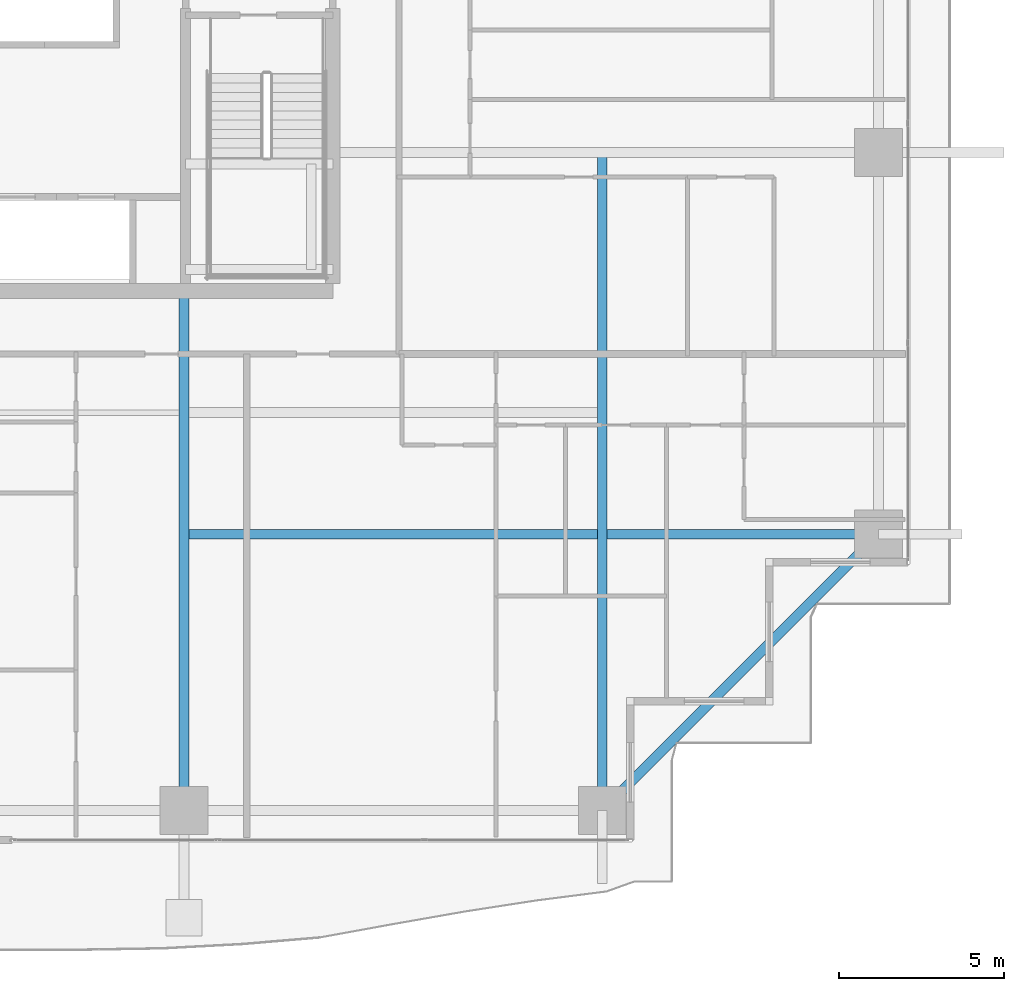
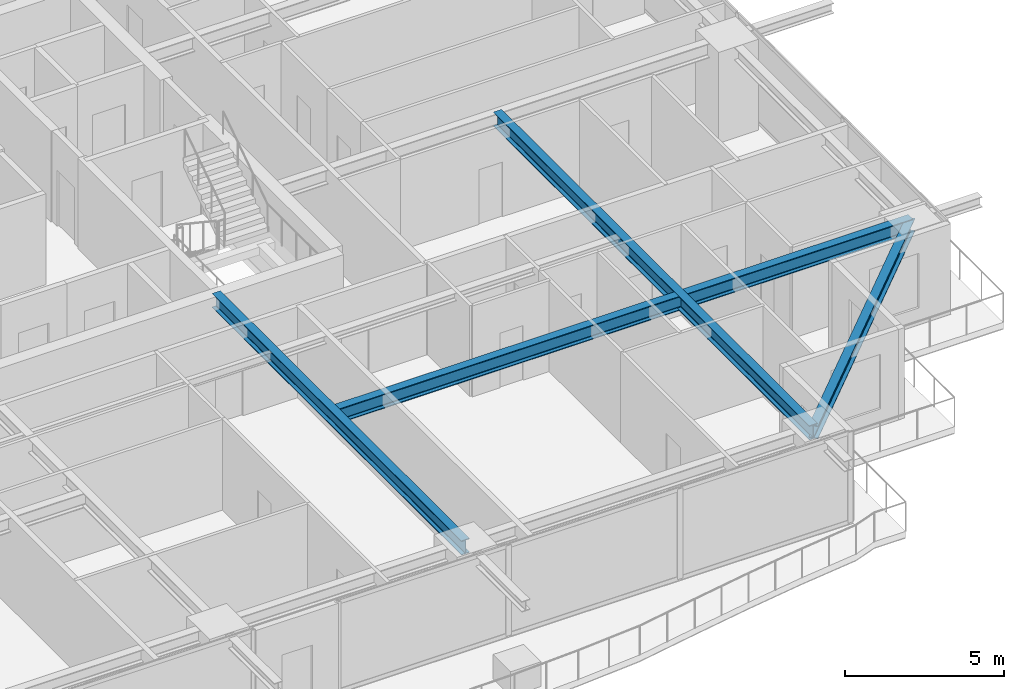
# One storey, part 12 of 41: 4 beams.
"""IFC4 building model written with IfcOpenShell, lengths in metres."""

import ifcopenshell
import ifcopenshell.guid

model = None  # the IFC model being written
_history = None  # IfcOwnerHistory: only IFC2X3 demands one
_inside = {}  # id of a spatial element -> (the spatial element, [elements in it])
_under = {}  # id of a project, library or spatial element -> (it, [spatial elements below it])
_declared = {}  # id of a project -> (the project, [libraries it declares])
_typed = {}  # id of a type object -> (the type object, [elements of that type])
_made_of = {}  # id of a material, layer set ... -> (it, [elements and type objects made of it])


def new_model(schema):
    """Start an empty IFC model of exactly this schema.

    Asked for "IFC4X3", IfcOpenShell would pick the latest addendum, in which some entities
    have other attributes; the version numbers below select the first issue.
    IFC2X3 requires an IfcOwnerHistory on every rooted entity: one is made here for all.
    """
    global model, _history
    if schema == "IFC4X3":
        model = ifcopenshell.file(schema_version=(4, 3, 0, 0))
    else:
        model = ifcopenshell.file(schema=schema)
    _inside.clear()
    _under.clear()
    _declared.clear()
    _typed.clear()
    _made_of.clear()
    _history = None
    if model.schema == "IFC2X3":
        org = make("IfcOrganization", Name="unknown")
        user = make(
            "IfcPersonAndOrganization",
            ThePerson=make("IfcPerson", FamilyName="unknown"),
            TheOrganization=org,
        )
        app = make(
            "IfcApplication",
            ApplicationDeveloper=org,
            Version="unknown",
            ApplicationFullName="unknown",
            ApplicationIdentifier="unknown",
        )
        _history = make(
            "IfcOwnerHistory",
            OwningUser=user,
            OwningApplication=app,
            ChangeAction="ADDED",
            CreationDate=0,
        )
    return model


def make(cls, **values):
    """One entity of the class cls with the attributes given. An attribute that is None is left unset."""
    return model.create_entity(
        cls, **{name: value for name, value in values.items() if value is not None}
    )


def rooted(cls, **values):
    """An entity with a GlobalId (a new one), such as an element, a storey or a relation."""
    return make(cls, GlobalId=ifcopenshell.guid.new(), OwnerHistory=_history, **values)


def si_unit(unit_type, name, prefix=None):
    """IfcSIUnit, for example si_unit("LENGTHUNIT", "METRE", prefix="MILLI")."""
    return make("IfcSIUnit", UnitType=unit_type, Prefix=prefix, Name=name)


def assignment(units):
    """IfcUnitAssignment: the units of a project."""
    return None if units is None else make("IfcUnitAssignment", Units=units)


def point(xyz):
    """IfcCartesianPoint."""
    return None if xyz is None else make("IfcCartesianPoint", Coordinates=xyz)


def direction(xyz):
    """IfcDirection."""
    return None if xyz is None else make("IfcDirection", DirectionRatios=xyz)


def frame(location, z_axis=None, x_axis=None):
    """IfcAxis2Placement3D, a coordinate frame: its origin and axes. An axis left out is left unset."""
    return make(
        "IfcAxis2Placement3D",
        Location=point(location),
        Axis=direction(z_axis),
        RefDirection=direction(x_axis),
    )


def frame_2d(location, x_axis=None):
    """IfcAxis2Placement2D, a coordinate frame in the plane: its origin and x axis."""
    return make(
        "IfcAxis2Placement2D", Location=point(location), RefDirection=direction(x_axis)
    )


def origin():
    """The frame at (0, 0, 0) with its axes left unset."""
    return frame((0.0, 0.0, 0.0))


def origin_2d():
    """The frame at (0, 0) in the plane with its x axis left unset."""
    return frame_2d((0.0, 0.0))


def place(relative_to, where):
    """IfcLocalPlacement: puts the frame where relative to a parent placement (None: the world)."""
    return make(
        "IfcLocalPlacement", PlacementRelTo=relative_to, RelativePlacement=where
    )


def context(
    kind, dimensions, precision=None, world=None, true_north=None, identifier=None
):
    """IfcGeometricRepresentationContext, for example the 3D "Model" context."""
    return make(
        "IfcGeometricRepresentationContext",
        ContextIdentifier=identifier,
        ContextType=kind,
        CoordinateSpaceDimension=dimensions,
        Precision=precision,
        WorldCoordinateSystem=world,
        TrueNorth=true_north,
    )


def subcontext(parent, identifier, kind, view, scale=None):
    """IfcGeometricRepresentationSubContext, for example "Body" below "Model"."""
    return make(
        "IfcGeometricRepresentationSubContext",
        ContextIdentifier=identifier,
        ContextType=kind,
        ParentContext=parent,
        TargetScale=scale,
        TargetView=view,
    )


def project(units=None, contexts=None):
    """IfcProject with its units and contexts."""
    return rooted(
        "IfcProject",
        Name="project",
        RepresentationContexts=contexts,
        UnitsInContext=assignment(units),
    )


def spatial(cls, under=None, at=None, **own):
    """A site, building, storey or space (cls), placed at a placement, below another one or the project."""
    s = rooted(cls, ObjectPlacement=at, **own)
    if under is not None:
        _under.setdefault(under.id(), (under, []))[1].append(s)
    return s


def profile(cls, at=None, kind="AREA", **sizes):
    """A parametric profile (cls). Its sizes go by their IFC names, for example OverallWidth=200.0."""
    return make(cls, ProfileType=kind, Position=at, **sizes)


def i_section(**sizes):
    """IfcIShapeProfileDef."""
    return profile("IfcIShapeProfileDef", **sizes)


def extrude(swept, where, along, depth):
    """IfcExtrudedAreaSolid: the profile swept, set in the frame where, extruded along a direction by depth."""
    return make(
        "IfcExtrudedAreaSolid",
        SweptArea=swept,
        Position=where,
        ExtrudedDirection=direction(along),
        Depth=depth,
    )


def shape(context_of_items, identifier, shape_type, items):
    """IfcShapeRepresentation: the items that make up one representation, for example the "Body"."""
    return make(
        "IfcShapeRepresentation",
        ContextOfItems=context_of_items,
        RepresentationIdentifier=identifier,
        RepresentationType=shape_type,
        Items=items,
    )


def source(mapping_origin, context_of_items, identifier, shape_type, items):
    """IfcRepresentationMap: a shape defined once, which mapped items show again and again."""
    return make(
        "IfcRepresentationMap",
        MappingOrigin=mapping_origin,
        MappedRepresentation=shape(context_of_items, identifier, shape_type, items),
    )


def transform(
    local_origin,
    x_axis=None,
    y_axis=None,
    z_axis=None,
    scale=None,
    scale2=None,
    scale3=None,
    uniform=True,
):
    """IfcCartesianTransformationOperator3D, or its non-uniform kind. x_axis, y_axis, z_axis: its Axis1, 2, 3."""
    if uniform:
        return make(
            "IfcCartesianTransformationOperator3D",
            Axis1=direction(x_axis),
            Axis2=direction(y_axis),
            LocalOrigin=point(local_origin),
            Scale=scale,
            Axis3=direction(z_axis),
        )
    return make(
        "IfcCartesianTransformationOperator3DnonUniform",
        Axis1=direction(x_axis),
        Axis2=direction(y_axis),
        LocalOrigin=point(local_origin),
        Scale=scale,
        Axis3=direction(z_axis),
        Scale2=scale2,
        Scale3=scale3,
    )


def mapped(mapping_source, mapping_target):
    """IfcMappedItem: shows the shape of a source again, moved by a transform."""
    return make(
        "IfcMappedItem", MappingSource=mapping_source, MappingTarget=mapping_target
    )


def material(Name=None, Category=None):
    """IfcMaterial."""
    return make("IfcMaterial", Name=Name, Category=Category)


def material_profile(
    of_material, cross_section, Name=None, Category=None, Priority=None
):
    """IfcMaterialProfile: a cross section and its material."""
    return make(
        "IfcMaterialProfile",
        Name=Name,
        Material=of_material,
        Profile=cross_section,
        Priority=Priority,
        Category=Category,
    )


def profile_set(profiles, Name=None, composite=None):
    """IfcMaterialProfileSet."""
    return make(
        "IfcMaterialProfileSet",
        Name=Name,
        MaterialProfiles=profiles,
        CompositeProfile=composite,
    )


def made_of(thing, what):
    """Note that an element or type object is made of a material, layer set ...; save() writes the relation."""
    if what is not None:
        _made_of.setdefault(what.id(), (what, []))[1].append(thing)
    return thing


def type_object(cls, material=None, **own):
    """A type object (cls), such as IfcWallType, which elements share."""
    return made_of(rooted(cls, **own), material)


def element(
    cls,
    number,
    at=None,
    inside=None,
    cuts=None,
    type_object=None,
    material=None,
    context=None,
    identifier="Body",
    shape_type=None,
    held_by="IfcProductDefinitionShape",
    body=None,
    shapes=None,
    **own,
):
    """One element of the class cls, such as IfcWall. Its Tag is "e" and its number.

    at: its placement. inside: the storey or other place that contains it. cuts: it is an
    opening in that element (IfcRelVoidsElement). A single representation is given by context,
    identifier, shape_type and body (its items); several are given by shapes. held_by: the class
    of the entity that holds the representations. save() writes the other relations.
    """
    e = rooted(cls, Tag="e%d" % number, ObjectPlacement=at, **own)
    if body is not None:
        shapes = [shape(context, identifier, shape_type, body)]
    if shapes is not None:
        e.Representation = make(held_by, Representations=shapes)
    if inside is not None:
        _inside.setdefault(inside.id(), (inside, []))[1].append(e)
    if cuts is not None:
        rooted(
            "IfcRelVoidsElement", RelatingBuildingElement=cuts, RelatedOpeningElement=e
        )
    if type_object is not None:
        _typed.setdefault(type_object.id(), (type_object, []))[1].append(e)
    return made_of(e, material)


def aggregate(whole, parts):
    """IfcRelAggregates: a whole, such as a stair, and the parts it consists of."""
    return rooted("IfcRelAggregates", RelatingObject=whole, RelatedObjects=parts)


def save(model, path):
    """Write the relations noted so far, then the file.

    IfcRelAggregates (storeys below a building ...), IfcRelContainedInSpatialStructure (elements
    in a storey), IfcRelDefinesByType, IfcRelAssociatesMaterial and IfcRelDeclares: one each for
    every whole, place, type object, material and project.
    """
    for whole, parts in _under.values():
        aggregate(whole, parts)
    for where, things in _inside.values():
        rooted(
            "IfcRelContainedInSpatialStructure",
            RelatedElements=things,
            RelatingStructure=where,
        )
    for kind, things in _typed.values():
        rooted("IfcRelDefinesByType", RelatedObjects=things, RelatingType=kind)
    for what, things in _made_of.values():
        rooted("IfcRelAssociatesMaterial", RelatedObjects=things, RelatingMaterial=what)
    for by, libraries in _declared.values():
        rooted("IfcRelDeclares", RelatingContext=by, RelatedDefinitions=libraries)
    model.write(path)


model = new_model("IFC4")

# Units and contexts
model_context = context("Model", 3, precision=1e-05, world=origin(), true_north=direction((0.0, 1.0)))
body_context = subcontext(model_context, "Body", "Model", "MODEL_VIEW")
ifc_project = project(units=[si_unit("LENGTHUNIT", "METRE"), si_unit("AREAUNIT", "SQUARE_METRE"), si_unit("VOLUMEUNIT", "CUBIC_METRE"), si_unit("PLANEANGLEUNIT", "RADIAN"), si_unit("MASSUNIT", "GRAM", prefix="KILO")], contexts=[model_context])

# Site, building, storey
site_placement = place(None, origin())
site = spatial("IfcSite", under=ifc_project, at=site_placement, CompositionType="ELEMENT")
building_placement = place(site_placement, origin())
building = spatial("IfcBuilding", under=site, at=building_placement, Name="Serunith Strait Residences", CompositionType="ELEMENT")
storey_placement = place(building_placement, frame((0.0, 0.0, 45.449951171875)))
storey = spatial("IfcBuildingStorey", under=building, at=storey_placement, Name="L10", CompositionType="ELEMENT", Elevation=45.449951171875)

# Beams
ifc_material = material(Name="Steel S355J2", Category="steel")
ifc_material_profile_1 = material_profile(ifc_material, i_section(OverallWidth=0.300048828125, OverallDepth=0.550048828125, WebThickness=0.014892578125, FlangeThickness=0.029052734375, FilletRadius=0.027099609375, at=origin_2d()), Name="HEB 550")
ifc_profile_set_1 = profile_set([ifc_material_profile_1], Name="Steel S355J2")
beam_type_1 = type_object("IfcBeamType", Name="BM-HEB550", PredefinedType="BEAM", material=ifc_profile_set_1)
shared_shape_1 = source(origin(), body_context, "Body", "SweptSolid", [
    extrude(i_section(OverallWidth=0.300048828125, OverallDepth=0.550048828125, WebThickness=0.014892578125, FlangeThickness=0.029052734375, FilletRadius=0.027099609375, at=origin_2d()), origin(), (0.0, 0.0, 1.0), 15.699951171875),
])
beam_1_placement = place(storey_placement, frame((36.89990234375, 16.800048828125, 3.212158203125), z_axis=(0.0, -1.0, 0.0), x_axis=(1.0, 0.0, 0.0)))
element("IfcBeam", 1, at=beam_1_placement, inside=storey, type_object=beam_type_1, Name="L10 Primary Floor Girder TC-S3", PredefinedType="BEAM", context=body_context, shape_type="MappedRepresentation", body=[
    mapped(shared_shape_1, transform((0.0, 0.0, 0.0), scale=1.0)),
])
shared_shape_2 = source(origin(), body_context, "Body", "SweptSolid", [
    extrude(i_section(OverallWidth=0.300048828125, OverallDepth=0.550048828125, WebThickness=0.014892578125, FlangeThickness=0.029052734375, FilletRadius=0.027099609375, at=origin_2d()), origin(), (0.0, 0.0, 1.0), 19.89990234375),
])
beam_2_placement = place(storey_placement, frame((49.550048828125, 21.0, 3.212158203125), z_axis=(0.0, -1.0, 0.0), x_axis=(1.0, 0.0, 0.0)))
element("IfcBeam", 2, at=beam_2_placement, inside=storey, type_object=beam_type_1, Name="L10 Orthogonal Corner Girder TC-S4", PredefinedType="BEAM", context=body_context, shape_type="MappedRepresentation", body=[
    mapped(shared_shape_2, transform((0.0, 0.0, 0.0), scale=1.0)),
])
shared_shape_3 = source(origin(), body_context, "Body", "SweptSolid", [
    extrude(i_section(OverallWidth=0.300048828125, OverallDepth=0.550048828125, WebThickness=0.014892578125, FlangeThickness=0.029052734375, FilletRadius=0.027099609375, at=origin_2d()), origin(), (0.0, 0.0, 1.0), 21.0),
])
beam_3_placement = place(storey_placement, frame((36.89990234375, 9.449951171875, 3.212158203125), z_axis=(1.0, 0.0, 0.0), x_axis=(0.0, 1.0, 0.0)))
element("IfcBeam", 3, at=beam_3_placement, inside=storey, type_object=beam_type_1, Name="L10 Orthogonal Corner Girder TC-E1", PredefinedType="BEAM", context=body_context, shape_type="MappedRepresentation", body=[
    mapped(shared_shape_3, transform((0.0, 0.0, 0.0), scale=1.0)),
])
ifc_material_profile_2 = material_profile(ifc_material, i_section(OverallWidth=0.300048828125, OverallDepth=0.5, WebThickness=0.014404296875, FlangeThickness=0.028076171875, FilletRadius=0.027099609375, at=origin_2d()), Name="HEB 500")
ifc_profile_set_2 = profile_set([ifc_material_profile_2], Name="Steel S355J2")
beam_type_2 = type_object("IfcBeamType", Name="BM-HEB500", PredefinedType="BEAM", material=ifc_profile_set_2)
shared_shape_4 = source(origin(), body_context, "Body", "SweptSolid", [
    extrude(i_section(OverallWidth=0.300048828125, OverallDepth=0.5, WebThickness=0.014404296875, FlangeThickness=0.028076171875, FilletRadius=0.027099609375, at=origin_2d()), origin(), (0.0, 0.0, 1.0), 11.80859375),
])
beam_4_placement = place(storey_placement, frame((49.550048828125, 1.10009765625, 3.20703125), z_axis=(0.707106781187, 0.707106781187, 0.0), x_axis=(-0.707106781187, 0.707106781187, 0.0)))
element("IfcBeam", 4, at=beam_4_placement, inside=storey, type_object=beam_type_2, Name="L10 Perimeter Ring Beam 04", PredefinedType="BEAM", context=body_context, shape_type="MappedRepresentation", body=[
    mapped(shared_shape_4, transform((0.0, 0.0, 0.0), scale=1.0)),
])

save(model, "model.ifc")
